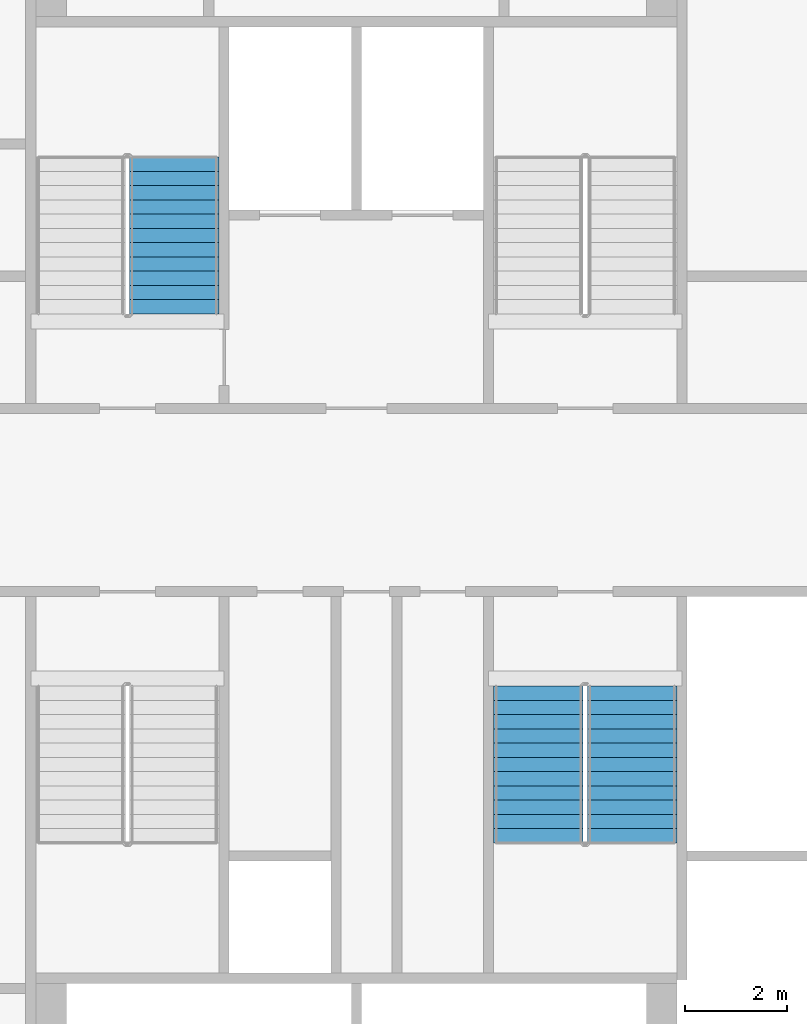
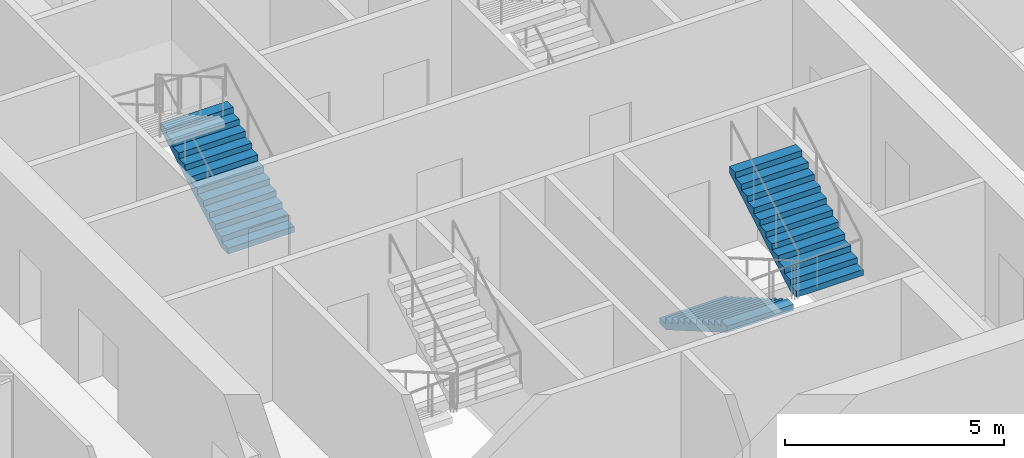
# One storey, part 17 of 23: 3 stair flights, 2 elements without a shape of their own.
"""IFC4 building model written with IfcOpenShell, lengths in metres."""

import ifcopenshell
import ifcopenshell.guid

model = None  # the IFC model being written
_history = None  # IfcOwnerHistory: only IFC2X3 demands one
_inside = {}  # id of a spatial element -> (the spatial element, [elements in it])
_under = {}  # id of a project, library or spatial element -> (it, [spatial elements below it])
_declared = {}  # id of a project -> (the project, [libraries it declares])
_typed = {}  # id of a type object -> (the type object, [elements of that type])
_made_of = {}  # id of a material, layer set ... -> (it, [elements and type objects made of it])


def new_model(schema):
    """Start an empty IFC model of exactly this schema.

    Asked for "IFC4X3", IfcOpenShell would pick the latest addendum, in which some entities
    have other attributes; the version numbers below select the first issue.
    IFC2X3 requires an IfcOwnerHistory on every rooted entity: one is made here for all.
    """
    global model, _history
    if schema == "IFC4X3":
        model = ifcopenshell.file(schema_version=(4, 3, 0, 0))
    else:
        model = ifcopenshell.file(schema=schema)
    _inside.clear()
    _under.clear()
    _declared.clear()
    _typed.clear()
    _made_of.clear()
    _history = None
    if model.schema == "IFC2X3":
        org = make("IfcOrganization", Name="unknown")
        user = make(
            "IfcPersonAndOrganization",
            ThePerson=make("IfcPerson", FamilyName="unknown"),
            TheOrganization=org,
        )
        app = make(
            "IfcApplication",
            ApplicationDeveloper=org,
            Version="unknown",
            ApplicationFullName="unknown",
            ApplicationIdentifier="unknown",
        )
        _history = make(
            "IfcOwnerHistory",
            OwningUser=user,
            OwningApplication=app,
            ChangeAction="ADDED",
            CreationDate=0,
        )
    return model


def make(cls, **values):
    """One entity of the class cls with the attributes given. An attribute that is None is left unset."""
    return model.create_entity(
        cls, **{name: value for name, value in values.items() if value is not None}
    )


def rooted(cls, **values):
    """An entity with a GlobalId (a new one), such as an element, a storey or a relation."""
    return make(cls, GlobalId=ifcopenshell.guid.new(), OwnerHistory=_history, **values)


def si_unit(unit_type, name, prefix=None):
    """IfcSIUnit, for example si_unit("LENGTHUNIT", "METRE", prefix="MILLI")."""
    return make("IfcSIUnit", UnitType=unit_type, Prefix=prefix, Name=name)


def assignment(units):
    """IfcUnitAssignment: the units of a project."""
    return None if units is None else make("IfcUnitAssignment", Units=units)


def point(xyz):
    """IfcCartesianPoint."""
    return None if xyz is None else make("IfcCartesianPoint", Coordinates=xyz)


def direction(xyz):
    """IfcDirection."""
    return None if xyz is None else make("IfcDirection", DirectionRatios=xyz)


def frame(location, z_axis=None, x_axis=None):
    """IfcAxis2Placement3D, a coordinate frame: its origin and axes. An axis left out is left unset."""
    return make(
        "IfcAxis2Placement3D",
        Location=point(location),
        Axis=direction(z_axis),
        RefDirection=direction(x_axis),
    )


def origin():
    """The frame at (0, 0, 0) with its axes left unset."""
    return frame((0.0, 0.0, 0.0))


def place(relative_to, where):
    """IfcLocalPlacement: puts the frame where relative to a parent placement (None: the world)."""
    return make(
        "IfcLocalPlacement", PlacementRelTo=relative_to, RelativePlacement=where
    )


def context(
    kind, dimensions, precision=None, world=None, true_north=None, identifier=None
):
    """IfcGeometricRepresentationContext, for example the 3D "Model" context."""
    return make(
        "IfcGeometricRepresentationContext",
        ContextIdentifier=identifier,
        ContextType=kind,
        CoordinateSpaceDimension=dimensions,
        Precision=precision,
        WorldCoordinateSystem=world,
        TrueNorth=true_north,
    )


def subcontext(parent, identifier, kind, view, scale=None):
    """IfcGeometricRepresentationSubContext, for example "Body" below "Model"."""
    return make(
        "IfcGeometricRepresentationSubContext",
        ContextIdentifier=identifier,
        ContextType=kind,
        ParentContext=parent,
        TargetScale=scale,
        TargetView=view,
    )


def project(units=None, contexts=None):
    """IfcProject with its units and contexts."""
    return rooted(
        "IfcProject",
        Name="project",
        RepresentationContexts=contexts,
        UnitsInContext=assignment(units),
    )


def spatial(cls, under=None, at=None, **own):
    """A site, building, storey or space (cls), placed at a placement, below another one or the project."""
    s = rooted(cls, ObjectPlacement=at, **own)
    if under is not None:
        _under.setdefault(under.id(), (under, []))[1].append(s)
    return s


def faces_of(points, faces, orient=None, outer=None):
    """IfcFace entities. A face is a list of loops; a loop is a list of indices into points, from 0.

    orient and outer hold one flag for each loop. By default every Orientation is true, the
    first loop of a face is its IfcFaceOuterBound and the others are IfcFaceBound.
    """
    made = []
    for i, loops in enumerate(faces):
        bounds = []
        for j, loop in enumerate(loops):
            is_outer = j == 0 if outer is None else outer[i][j]
            bounds.append(
                make(
                    "IfcFaceOuterBound" if is_outer else "IfcFaceBound",
                    Bound=make("IfcPolyLoop", Polygon=[points[k] for k in loop]),
                    Orientation=True if orient is None else orient[i][j],
                )
            )
        made.append(make("IfcFace", Bounds=bounds))
    return made


def faceted_brep(points, faces, orient=None, outer=None, voids=None):
    """IfcFacetedBrep: a solid bounded by flat faces; with voids (closed shells), ...WithVoids."""
    shared = [point(p) for p in points]
    hull = make("IfcClosedShell", CfsFaces=faces_of(shared, faces, orient, outer))
    if voids is None:
        return make("IfcFacetedBrep", Outer=hull)
    return make(
        "IfcFacetedBrepWithVoids",
        Outer=hull,
        Voids=[
            make(cls, CfsFaces=faces_of(shared, fs, o, b)) for cls, fs, o, b in voids
        ],
    )


def shape(context_of_items, identifier, shape_type, items):
    """IfcShapeRepresentation: the items that make up one representation, for example the "Body"."""
    return make(
        "IfcShapeRepresentation",
        ContextOfItems=context_of_items,
        RepresentationIdentifier=identifier,
        RepresentationType=shape_type,
        Items=items,
    )


def material(Name=None, Category=None):
    """IfcMaterial."""
    return make("IfcMaterial", Name=Name, Category=Category)


def made_of(thing, what):
    """Note that an element or type object is made of a material, layer set ...; save() writes the relation."""
    if what is not None:
        _made_of.setdefault(what.id(), (what, []))[1].append(thing)
    return thing


def type_object(cls, material=None, **own):
    """A type object (cls), such as IfcWallType, which elements share."""
    return made_of(rooted(cls, **own), material)


def element(
    cls,
    number,
    at=None,
    inside=None,
    cuts=None,
    type_object=None,
    material=None,
    context=None,
    identifier="Body",
    shape_type=None,
    held_by="IfcProductDefinitionShape",
    body=None,
    shapes=None,
    **own,
):
    """One element of the class cls, such as IfcWall. Its Tag is "e" and its number.

    at: its placement. inside: the storey or other place that contains it. cuts: it is an
    opening in that element (IfcRelVoidsElement). A single representation is given by context,
    identifier, shape_type and body (its items); several are given by shapes. held_by: the class
    of the entity that holds the representations. save() writes the other relations.
    """
    e = rooted(cls, Tag="e%d" % number, ObjectPlacement=at, **own)
    if body is not None:
        shapes = [shape(context, identifier, shape_type, body)]
    if shapes is not None:
        e.Representation = make(held_by, Representations=shapes)
    if inside is not None:
        _inside.setdefault(inside.id(), (inside, []))[1].append(e)
    if cuts is not None:
        rooted(
            "IfcRelVoidsElement", RelatingBuildingElement=cuts, RelatedOpeningElement=e
        )
    if type_object is not None:
        _typed.setdefault(type_object.id(), (type_object, []))[1].append(e)
    return made_of(e, material)


def aggregate(whole, parts):
    """IfcRelAggregates: a whole, such as a stair, and the parts it consists of."""
    return rooted("IfcRelAggregates", RelatingObject=whole, RelatedObjects=parts)


def save(model, path):
    """Write the relations noted so far, then the file.

    IfcRelAggregates (storeys below a building ...), IfcRelContainedInSpatialStructure (elements
    in a storey), IfcRelDefinesByType, IfcRelAssociatesMaterial and IfcRelDeclares: one each for
    every whole, place, type object, material and project.
    """
    for whole, parts in _under.values():
        aggregate(whole, parts)
    for where, things in _inside.values():
        rooted(
            "IfcRelContainedInSpatialStructure",
            RelatedElements=things,
            RelatingStructure=where,
        )
    for kind, things in _typed.values():
        rooted("IfcRelDefinesByType", RelatedObjects=things, RelatingType=kind)
    for what, things in _made_of.values():
        rooted("IfcRelAssociatesMaterial", RelatedObjects=things, RelatingMaterial=what)
    for by, libraries in _declared.values():
        rooted("IfcRelDeclares", RelatingContext=by, RelatedDefinitions=libraries)
    model.write(path)


model = new_model("IFC4")

# Units and contexts
model_context = context("Model", 3, precision=1e-05, world=origin(), true_north=direction((0.0, 1.0)))
body_context = subcontext(model_context, "Body", "Model", "MODEL_VIEW")
ifc_project = project(units=[si_unit("LENGTHUNIT", "METRE"), si_unit("AREAUNIT", "SQUARE_METRE"), si_unit("VOLUMEUNIT", "CUBIC_METRE"), si_unit("PLANEANGLEUNIT", "RADIAN"), si_unit("MASSUNIT", "GRAM", prefix="KILO")], contexts=[model_context])

# Site, building, storey
site_placement = place(None, origin())
site = spatial("IfcSite", under=ifc_project, at=site_placement, CompositionType="ELEMENT")
building_placement = place(site_placement, origin())
building = spatial("IfcBuilding", under=site, at=building_placement, Name="Tarsis Ring Headquarters", CompositionType="ELEMENT")
storey_placement = place(building_placement, frame((0.0, 0.0, 155.39990234375)))
storey = spatial("IfcBuildingStorey", under=building, at=storey_placement, Name="L35", CompositionType="ELEMENT", Elevation=155.39990234375)

# Stair, stair flight
ifc_material_1 = material(Name="Core stair 1760")
stair_type = type_object("IfcStairType", Name="Core stair 1760", PredefinedType="HALF_TURN_STAIR", material=ifc_material_1)
stair_1_placement = place(storey_placement, origin())
stair_1 = element("IfcStair", 1, at=stair_1_placement, inside=storey, type_object=stair_type, Name="L35 Firefighting stair", PredefinedType="HALF_TURN_STAIR")
ifc_material_2 = material(Name="Concrete C40/50", Category="concrete")
stair_flight_type = type_object("IfcStairFlightType", Name="Core stair flight 1760", PredefinedType="STRAIGHT", material=ifc_material_2)
stair_flight_1_placement = place(storey_placement, frame((-3.580078125, 3.659912109375, 0.0), z_axis=(0.0, 0.0, 1.0), x_axis=(0.0, 1.0, 0.0)))
stair_flight_1 = element("IfcStairFlight", 2, at=stair_flight_1_placement, type_object=stair_flight_type, Name="Stair ST1 flight 1", NumberOfRisers=12, NumberOfTreads=11, PredefinedType="STRAIGHT", RiserHeight=0.1625, TreadLength=0.28, context=body_context, shape_type="Brep", body=[
    faceted_brep([(0.0, 0.8798828125, 0.0), (0.0, 0.8798828125, 0.16259765625), (0.280029296875, 0.8798828125, 0.16259765625), (0.280029296875, 0.8798828125, 0.324951171875), (0.56005859375, 0.8798828125, 0.324951171875), (0.56005859375, 0.8798828125, 0.487548828125), (0.840087890625, 0.8798828125, 0.487548828125), (0.840087890625, 0.8798828125, 0.64990234375), (1.1201171875, 0.8798828125, 0.64990234375), (1.1201171875, 0.8798828125, 0.8125), (1.39990234375, 0.8798828125, 0.8125), (1.39990234375, 0.8798828125, 0.97509765625), (1.679931640625, 0.8798828125, 0.97509765625), (1.679931640625, 0.8798828125, 1.137451171875), (1.9599609375, 0.8798828125, 1.137451171875), (1.9599609375, 0.8798828125, 1.300048828125), (2.239990234375, 0.8798828125, 1.300048828125), (2.239990234375, 0.8798828125, 1.46240234375), (2.52001953125, 0.8798828125, 1.46240234375), (2.52001953125, 0.8798828125, 1.625), (2.800048828125, 0.8798828125, 1.625), (2.800048828125, 0.8798828125, 1.78759765625), (3.080078125, 0.8798828125, 1.78759765625), (3.080078125, 0.8798828125, 1.6142578125), (0.298583984375, 0.8798828125, 0.0), (0.298583984375, -0.8798828125, 0.0), (3.080078125, -0.8798828125, 1.6142578125), (3.080078125, -0.8798828125, 1.78759765625), (2.800048828125, -0.8798828125, 1.78759765625), (2.800048828125, -0.8798828125, 1.625), (2.52001953125, -0.8798828125, 1.625), (2.52001953125, -0.8798828125, 1.46240234375), (2.239990234375, -0.8798828125, 1.46240234375), (2.239990234375, -0.8798828125, 1.300048828125), (1.9599609375, -0.8798828125, 1.300048828125), (1.9599609375, -0.8798828125, 1.137451171875), (1.679931640625, -0.8798828125, 1.137451171875), (1.679931640625, -0.8798828125, 0.97509765625), (1.39990234375, -0.8798828125, 0.97509765625), (1.39990234375, -0.8798828125, 0.8125), (1.1201171875, -0.8798828125, 0.8125), (1.1201171875, -0.8798828125, 0.64990234375), (0.840087890625, -0.8798828125, 0.64990234375), (0.840087890625, -0.8798828125, 0.487548828125), (0.56005859375, -0.8798828125, 0.487548828125), (0.56005859375, -0.8798828125, 0.324951171875), (0.280029296875, -0.8798828125, 0.324951171875), (0.280029296875, -0.8798828125, 0.16259765625), (0.0, -0.8798828125, 0.16259765625), (0.0, -0.8798828125, 0.0), (0.0, -0.43994140625, 0.16259765625), (0.0, -0.43994140625, 0.0), (0.0, 0.0, 0.16259765625), (0.0, 0.0, 0.0), (0.0, 0.43994140625, 0.16259765625), (0.0, 0.43994140625, 0.0), (0.280029296875, -0.43994140625, 0.16259765625), (0.280029296875, 0.0, 0.16259765625), (0.280029296875, 0.43994140625, 0.16259765625), (0.280029296875, -0.43994140625, 0.324951171875), (0.280029296875, 0.0, 0.324951171875), (0.280029296875, 0.43994140625, 0.324951171875), (0.56005859375, -0.43994140625, 0.324951171875), (0.56005859375, 0.0, 0.324951171875), (0.56005859375, 0.43994140625, 0.324951171875), (0.56005859375, -0.43994140625, 0.487548828125), (0.56005859375, 0.0, 0.487548828125), (0.56005859375, 0.43994140625, 0.487548828125), (0.840087890625, -0.43994140625, 0.487548828125), (0.840087890625, 0.0, 0.487548828125), (0.840087890625, 0.43994140625, 0.487548828125), (0.840087890625, -0.43994140625, 0.64990234375), (0.840087890625, 0.0, 0.64990234375), (0.840087890625, 0.43994140625, 0.64990234375), (1.1201171875, -0.43994140625, 0.64990234375), (1.1201171875, 0.0, 0.64990234375), (1.1201171875, 0.43994140625, 0.64990234375), (1.1201171875, -0.43994140625, 0.8125), (1.1201171875, 0.0, 0.8125), (1.1201171875, 0.43994140625, 0.8125), (1.39990234375, -0.43994140625, 0.8125), (1.39990234375, 0.0, 0.8125), (1.39990234375, 0.43994140625, 0.8125), (1.39990234375, -0.43994140625, 0.97509765625), (1.39990234375, 0.0, 0.97509765625), (1.39990234375, 0.43994140625, 0.97509765625), (1.679931640625, -0.43994140625, 0.97509765625), (1.679931640625, 0.0, 0.97509765625), (1.679931640625, 0.43994140625, 0.97509765625), (1.679931640625, -0.43994140625, 1.137451171875), (1.679931640625, 0.0, 1.137451171875), (1.679931640625, 0.43994140625, 1.137451171875), (1.9599609375, -0.43994140625, 1.137451171875), (1.9599609375, 0.0, 1.137451171875), (1.9599609375, 0.43994140625, 1.137451171875), (1.9599609375, -0.43994140625, 1.300048828125), (1.9599609375, 0.0, 1.300048828125), (1.9599609375, 0.43994140625, 1.300048828125), (2.239990234375, -0.43994140625, 1.300048828125), (2.239990234375, 0.0, 1.300048828125), (2.239990234375, 0.43994140625, 1.300048828125), (2.239990234375, -0.43994140625, 1.46240234375), (2.239990234375, 0.0, 1.46240234375), (2.239990234375, 0.43994140625, 1.46240234375), (2.52001953125, -0.43994140625, 1.46240234375), (2.52001953125, 0.0, 1.46240234375), (2.52001953125, 0.43994140625, 1.46240234375), (2.52001953125, -0.43994140625, 1.625), (2.52001953125, 0.0, 1.625), (2.52001953125, 0.43994140625, 1.625), (2.800048828125, -0.43994140625, 1.625), (2.800048828125, 0.0, 1.625), (2.800048828125, 0.43994140625, 1.625), (2.800048828125, -0.43994140625, 1.78759765625), (2.800048828125, 0.0, 1.78759765625), (2.800048828125, 0.43994140625, 1.78759765625), (3.080078125, -0.43994140625, 1.78759765625), (3.080078125, 0.0, 1.78759765625), (3.080078125, 0.43994140625, 1.78759765625), (3.080078125, -0.43994140625, 1.6142578125), (3.080078125, 0.0, 1.6142578125), (3.080078125, 0.43994140625, 1.6142578125), (0.298583984375, -0.43994140625, 0.0), (0.298583984375, 0.0, 0.0), (0.298583984375, 0.43994140625, 0.0)], [[[0, 1, 2, 3, 4, 5, 6, 7, 8, 9, 10, 11, 12, 13, 14, 15, 16, 17, 18, 19, 20, 21, 22, 23, 24]], [[25, 26, 27, 28, 29, 30, 31, 32, 33, 34, 35, 36, 37, 38, 39, 40, 41, 42, 43, 44, 45, 46, 47, 48, 49]], [[49, 48, 50, 51]], [[51, 50, 52, 53]], [[53, 52, 54, 55]], [[55, 54, 1, 0]], [[48, 47, 56, 50]], [[50, 56, 57, 52]], [[52, 57, 58, 54]], [[54, 58, 2, 1]], [[47, 46, 59, 56]], [[56, 59, 60, 57]], [[57, 60, 61, 58]], [[58, 61, 3, 2]], [[46, 45, 62, 59]], [[59, 62, 63, 60]], [[60, 63, 64, 61]], [[61, 64, 4, 3]], [[45, 44, 65, 62]], [[62, 65, 66, 63]], [[63, 66, 67, 64]], [[64, 67, 5, 4]], [[44, 43, 68, 65]], [[65, 68, 69, 66]], [[66, 69, 70, 67]], [[67, 70, 6, 5]], [[43, 42, 71, 68]], [[68, 71, 72, 69]], [[69, 72, 73, 70]], [[70, 73, 7, 6]], [[42, 41, 74, 71]], [[71, 74, 75, 72]], [[72, 75, 76, 73]], [[73, 76, 8, 7]], [[41, 40, 77, 74]], [[74, 77, 78, 75]], [[75, 78, 79, 76]], [[76, 79, 9, 8]], [[40, 39, 80, 77]], [[77, 80, 81, 78]], [[78, 81, 82, 79]], [[79, 82, 10, 9]], [[39, 38, 83, 80]], [[80, 83, 84, 81]], [[81, 84, 85, 82]], [[82, 85, 11, 10]], [[38, 37, 86, 83]], [[83, 86, 87, 84]], [[84, 87, 88, 85]], [[85, 88, 12, 11]], [[37, 36, 89, 86]], [[86, 89, 90, 87]], [[87, 90, 91, 88]], [[88, 91, 13, 12]], [[36, 35, 92, 89]], [[89, 92, 93, 90]], [[90, 93, 94, 91]], [[91, 94, 14, 13]], [[35, 34, 95, 92]], [[92, 95, 96, 93]], [[93, 96, 97, 94]], [[94, 97, 15, 14]], [[34, 33, 98, 95]], [[95, 98, 99, 96]], [[96, 99, 100, 97]], [[97, 100, 16, 15]], [[33, 32, 101, 98]], [[98, 101, 102, 99]], [[99, 102, 103, 100]], [[100, 103, 17, 16]], [[32, 31, 104, 101]], [[101, 104, 105, 102]], [[102, 105, 106, 103]], [[103, 106, 18, 17]], [[31, 30, 107, 104]], [[104, 107, 108, 105]], [[105, 108, 109, 106]], [[106, 109, 19, 18]], [[30, 29, 110, 107]], [[107, 110, 111, 108]], [[108, 111, 112, 109]], [[109, 112, 20, 19]], [[29, 28, 113, 110]], [[110, 113, 114, 111]], [[111, 114, 115, 112]], [[112, 115, 21, 20]], [[28, 27, 116, 113]], [[113, 116, 117, 114]], [[114, 117, 118, 115]], [[115, 118, 22, 21]], [[27, 26, 119, 116]], [[116, 119, 120, 117]], [[117, 120, 121, 118]], [[118, 121, 23, 22]], [[26, 25, 122, 119]], [[119, 122, 123, 120]], [[120, 123, 124, 121]], [[121, 124, 24, 23]], [[25, 49, 51, 122]], [[122, 51, 53, 123]], [[123, 53, 55, 124]], [[124, 55, 0, 24]]]),
])
aggregate(stair_1, [stair_flight_1])

# Stair, stair flights
stair_2_placement = place(storey_placement, origin())
stair_2 = element("IfcStair", 3, at=stair_2_placement, inside=storey, type_object=stair_type, Name="L35 Exit stair D", PredefinedType="HALF_TURN_STAIR")
stair_flight_2_placement = place(storey_placement, frame((3.580078125, -3.659912109375, 0.0), z_axis=(0.0, 0.0, 1.0), x_axis=(0.0, -1.0, 0.0)))
stair_flight_2 = element("IfcStairFlight", 4, at=stair_flight_2_placement, type_object=stair_flight_type, Name="Stair ST4 flight 1", NumberOfRisers=12, NumberOfTreads=11, PredefinedType="STRAIGHT", RiserHeight=0.1625, TreadLength=0.28, context=body_context, shape_type="Brep", body=[
    faceted_brep([(0.0, 0.8798828125, 0.0), (0.0, 0.8798828125, 0.16259765625), (0.280029296875, 0.8798828125, 0.16259765625), (0.280029296875, 0.8798828125, 0.324951171875), (0.56005859375, 0.8798828125, 0.324951171875), (0.56005859375, 0.8798828125, 0.487548828125), (0.840087890625, 0.8798828125, 0.487548828125), (0.840087890625, 0.8798828125, 0.64990234375), (1.1201171875, 0.8798828125, 0.64990234375), (1.1201171875, 0.8798828125, 0.8125), (1.39990234375, 0.8798828125, 0.8125), (1.39990234375, 0.8798828125, 0.97509765625), (1.679931640625, 0.8798828125, 0.97509765625), (1.679931640625, 0.8798828125, 1.137451171875), (1.9599609375, 0.8798828125, 1.137451171875), (1.9599609375, 0.8798828125, 1.300048828125), (2.239990234375, 0.8798828125, 1.300048828125), (2.239990234375, 0.8798828125, 1.46240234375), (2.52001953125, 0.8798828125, 1.46240234375), (2.52001953125, 0.8798828125, 1.625), (2.800048828125, 0.8798828125, 1.625), (2.800048828125, 0.8798828125, 1.78759765625), (3.080078125, 0.8798828125, 1.78759765625), (3.080078125, 0.8798828125, 1.6142578125), (0.298583984375, 0.8798828125, 0.0), (0.298583984375, -0.8798828125, 0.0), (3.080078125, -0.8798828125, 1.6142578125), (3.080078125, -0.8798828125, 1.78759765625), (2.800048828125, -0.8798828125, 1.78759765625), (2.800048828125, -0.8798828125, 1.625), (2.52001953125, -0.8798828125, 1.625), (2.52001953125, -0.8798828125, 1.46240234375), (2.239990234375, -0.8798828125, 1.46240234375), (2.239990234375, -0.8798828125, 1.300048828125), (1.9599609375, -0.8798828125, 1.300048828125), (1.9599609375, -0.8798828125, 1.137451171875), (1.679931640625, -0.8798828125, 1.137451171875), (1.679931640625, -0.8798828125, 0.97509765625), (1.39990234375, -0.8798828125, 0.97509765625), (1.39990234375, -0.8798828125, 0.8125), (1.1201171875, -0.8798828125, 0.8125), (1.1201171875, -0.8798828125, 0.64990234375), (0.840087890625, -0.8798828125, 0.64990234375), (0.840087890625, -0.8798828125, 0.487548828125), (0.56005859375, -0.8798828125, 0.487548828125), (0.56005859375, -0.8798828125, 0.324951171875), (0.280029296875, -0.8798828125, 0.324951171875), (0.280029296875, -0.8798828125, 0.16259765625), (0.0, -0.8798828125, 0.16259765625), (0.0, -0.8798828125, 0.0), (0.0, -0.43994140625, 0.16259765625), (0.0, -0.43994140625, 0.0), (0.0, 0.0, 0.16259765625), (0.0, 0.0, 0.0), (0.0, 0.43994140625, 0.16259765625), (0.0, 0.43994140625, 0.0), (0.280029296875, -0.43994140625, 0.16259765625), (0.280029296875, 0.0, 0.16259765625), (0.280029296875, 0.43994140625, 0.16259765625), (0.280029296875, -0.43994140625, 0.324951171875), (0.280029296875, 0.0, 0.324951171875), (0.280029296875, 0.43994140625, 0.324951171875), (0.56005859375, -0.43994140625, 0.324951171875), (0.56005859375, 0.0, 0.324951171875), (0.56005859375, 0.43994140625, 0.324951171875), (0.56005859375, -0.43994140625, 0.487548828125), (0.56005859375, 0.0, 0.487548828125), (0.56005859375, 0.43994140625, 0.487548828125), (0.840087890625, -0.43994140625, 0.487548828125), (0.840087890625, 0.0, 0.487548828125), (0.840087890625, 0.43994140625, 0.487548828125), (0.840087890625, -0.43994140625, 0.64990234375), (0.840087890625, 0.0, 0.64990234375), (0.840087890625, 0.43994140625, 0.64990234375), (1.1201171875, -0.43994140625, 0.64990234375), (1.1201171875, 0.0, 0.64990234375), (1.1201171875, 0.43994140625, 0.64990234375), (1.1201171875, -0.43994140625, 0.8125), (1.1201171875, 0.0, 0.8125), (1.1201171875, 0.43994140625, 0.8125), (1.39990234375, -0.43994140625, 0.8125), (1.39990234375, 0.0, 0.8125), (1.39990234375, 0.43994140625, 0.8125), (1.39990234375, -0.43994140625, 0.97509765625), (1.39990234375, 0.0, 0.97509765625), (1.39990234375, 0.43994140625, 0.97509765625), (1.679931640625, -0.43994140625, 0.97509765625), (1.679931640625, 0.0, 0.97509765625), (1.679931640625, 0.43994140625, 0.97509765625), (1.679931640625, -0.43994140625, 1.137451171875), (1.679931640625, 0.0, 1.137451171875), (1.679931640625, 0.43994140625, 1.137451171875), (1.9599609375, -0.43994140625, 1.137451171875), (1.9599609375, 0.0, 1.137451171875), (1.9599609375, 0.43994140625, 1.137451171875), (1.9599609375, -0.43994140625, 1.300048828125), (1.9599609375, 0.0, 1.300048828125), (1.9599609375, 0.43994140625, 1.300048828125), (2.239990234375, -0.43994140625, 1.300048828125), (2.239990234375, 0.0, 1.300048828125), (2.239990234375, 0.43994140625, 1.300048828125), (2.239990234375, -0.43994140625, 1.46240234375), (2.239990234375, 0.0, 1.46240234375), (2.239990234375, 0.43994140625, 1.46240234375), (2.52001953125, -0.43994140625, 1.46240234375), (2.52001953125, 0.0, 1.46240234375), (2.52001953125, 0.43994140625, 1.46240234375), (2.52001953125, -0.43994140625, 1.625), (2.52001953125, 0.0, 1.625), (2.52001953125, 0.43994140625, 1.625), (2.800048828125, -0.43994140625, 1.625), (2.800048828125, 0.0, 1.625), (2.800048828125, 0.43994140625, 1.625), (2.800048828125, -0.43994140625, 1.78759765625), (2.800048828125, 0.0, 1.78759765625), (2.800048828125, 0.43994140625, 1.78759765625), (3.080078125, -0.43994140625, 1.78759765625), (3.080078125, 0.0, 1.78759765625), (3.080078125, 0.43994140625, 1.78759765625), (3.080078125, -0.43994140625, 1.6142578125), (3.080078125, 0.0, 1.6142578125), (3.080078125, 0.43994140625, 1.6142578125), (0.298583984375, -0.43994140625, 0.0), (0.298583984375, 0.0, 0.0), (0.298583984375, 0.43994140625, 0.0)], [[[0, 1, 2, 3, 4, 5, 6, 7, 8, 9, 10, 11, 12, 13, 14, 15, 16, 17, 18, 19, 20, 21, 22, 23, 24]], [[25, 26, 27, 28, 29, 30, 31, 32, 33, 34, 35, 36, 37, 38, 39, 40, 41, 42, 43, 44, 45, 46, 47, 48, 49]], [[49, 48, 50, 51]], [[51, 50, 52, 53]], [[53, 52, 54, 55]], [[55, 54, 1, 0]], [[48, 47, 56, 50]], [[50, 56, 57, 52]], [[52, 57, 58, 54]], [[54, 58, 2, 1]], [[47, 46, 59, 56]], [[56, 59, 60, 57]], [[57, 60, 61, 58]], [[58, 61, 3, 2]], [[46, 45, 62, 59]], [[59, 62, 63, 60]], [[60, 63, 64, 61]], [[61, 64, 4, 3]], [[45, 44, 65, 62]], [[62, 65, 66, 63]], [[63, 66, 67, 64]], [[64, 67, 5, 4]], [[44, 43, 68, 65]], [[65, 68, 69, 66]], [[66, 69, 70, 67]], [[67, 70, 6, 5]], [[43, 42, 71, 68]], [[68, 71, 72, 69]], [[69, 72, 73, 70]], [[70, 73, 7, 6]], [[42, 41, 74, 71]], [[71, 74, 75, 72]], [[72, 75, 76, 73]], [[73, 76, 8, 7]], [[41, 40, 77, 74]], [[74, 77, 78, 75]], [[75, 78, 79, 76]], [[76, 79, 9, 8]], [[40, 39, 80, 77]], [[77, 80, 81, 78]], [[78, 81, 82, 79]], [[79, 82, 10, 9]], [[39, 38, 83, 80]], [[80, 83, 84, 81]], [[81, 84, 85, 82]], [[82, 85, 11, 10]], [[38, 37, 86, 83]], [[83, 86, 87, 84]], [[84, 87, 88, 85]], [[85, 88, 12, 11]], [[37, 36, 89, 86]], [[86, 89, 90, 87]], [[87, 90, 91, 88]], [[88, 91, 13, 12]], [[36, 35, 92, 89]], [[89, 92, 93, 90]], [[90, 93, 94, 91]], [[91, 94, 14, 13]], [[35, 34, 95, 92]], [[92, 95, 96, 93]], [[93, 96, 97, 94]], [[94, 97, 15, 14]], [[34, 33, 98, 95]], [[95, 98, 99, 96]], [[96, 99, 100, 97]], [[97, 100, 16, 15]], [[33, 32, 101, 98]], [[98, 101, 102, 99]], [[99, 102, 103, 100]], [[100, 103, 17, 16]], [[32, 31, 104, 101]], [[101, 104, 105, 102]], [[102, 105, 106, 103]], [[103, 106, 18, 17]], [[31, 30, 107, 104]], [[104, 107, 108, 105]], [[105, 108, 109, 106]], [[106, 109, 19, 18]], [[30, 29, 110, 107]], [[107, 110, 111, 108]], [[108, 111, 112, 109]], [[109, 112, 20, 19]], [[29, 28, 113, 110]], [[110, 113, 114, 111]], [[111, 114, 115, 112]], [[112, 115, 21, 20]], [[28, 27, 116, 113]], [[113, 116, 117, 114]], [[114, 117, 118, 115]], [[115, 118, 22, 21]], [[27, 26, 119, 116]], [[116, 119, 120, 117]], [[117, 120, 121, 118]], [[118, 121, 23, 22]], [[26, 25, 122, 119]], [[119, 122, 123, 120]], [[120, 123, 124, 121]], [[121, 124, 24, 23]], [[25, 49, 51, 122]], [[122, 51, 53, 123]], [[123, 53, 55, 124]], [[124, 55, 0, 24]]]),
])
stair_flight_3_placement = place(storey_placement, frame((5.419921875, -6.739990234375, 1.9501953125), z_axis=(0.0, 0.0, 1.0), x_axis=(0.0, 1.0, 0.0)))
stair_flight_3 = element("IfcStairFlight", 5, at=stair_flight_3_placement, type_object=stair_flight_type, Name="Stair ST4 flight 2", NumberOfRisers=12, NumberOfTreads=11, PredefinedType="STRAIGHT", RiserHeight=0.1625, TreadLength=0.28, context=body_context, shape_type="Brep", body=[
    faceted_brep([(0.0, 0.8798828125, 0.0), (0.0, 0.8798828125, 0.16259765625), (0.280029296875, 0.8798828125, 0.16259765625), (0.280029296875, 0.8798828125, 0.324951171875), (0.56005859375, 0.8798828125, 0.324951171875), (0.56005859375, 0.8798828125, 0.487548828125), (0.840087890625, 0.8798828125, 0.487548828125), (0.840087890625, 0.8798828125, 0.64990234375), (1.1201171875, 0.8798828125, 0.64990234375), (1.1201171875, 0.8798828125, 0.8125), (1.39990234375, 0.8798828125, 0.8125), (1.39990234375, 0.8798828125, 0.97509765625), (1.679931640625, 0.8798828125, 0.97509765625), (1.679931640625, 0.8798828125, 1.137451171875), (1.9599609375, 0.8798828125, 1.137451171875), (1.9599609375, 0.8798828125, 1.300048828125), (2.239990234375, 0.8798828125, 1.300048828125), (2.239990234375, 0.8798828125, 1.46240234375), (2.52001953125, 0.8798828125, 1.46240234375), (2.52001953125, 0.8798828125, 1.625), (2.800048828125, 0.8798828125, 1.625), (2.800048828125, 0.8798828125, 1.78759765625), (3.080078125, 0.8798828125, 1.78759765625), (3.080078125, 0.8798828125, 1.6142578125), (0.298583984375, 0.8798828125, 0.0), (0.298583984375, -0.8798828125, 0.0), (3.080078125, -0.8798828125, 1.6142578125), (3.080078125, -0.8798828125, 1.78759765625), (2.800048828125, -0.8798828125, 1.78759765625), (2.800048828125, -0.8798828125, 1.625), (2.52001953125, -0.8798828125, 1.625), (2.52001953125, -0.8798828125, 1.46240234375), (2.239990234375, -0.8798828125, 1.46240234375), (2.239990234375, -0.8798828125, 1.300048828125), (1.9599609375, -0.8798828125, 1.300048828125), (1.9599609375, -0.8798828125, 1.137451171875), (1.679931640625, -0.8798828125, 1.137451171875), (1.679931640625, -0.8798828125, 0.97509765625), (1.39990234375, -0.8798828125, 0.97509765625), (1.39990234375, -0.8798828125, 0.8125), (1.1201171875, -0.8798828125, 0.8125), (1.1201171875, -0.8798828125, 0.64990234375), (0.840087890625, -0.8798828125, 0.64990234375), (0.840087890625, -0.8798828125, 0.487548828125), (0.56005859375, -0.8798828125, 0.487548828125), (0.56005859375, -0.8798828125, 0.324951171875), (0.280029296875, -0.8798828125, 0.324951171875), (0.280029296875, -0.8798828125, 0.16259765625), (0.0, -0.8798828125, 0.16259765625), (0.0, -0.8798828125, 0.0), (0.0, -0.43994140625, 0.16259765625), (0.0, -0.43994140625, 0.0), (0.0, 0.0, 0.16259765625), (0.0, 0.0, 0.0), (0.0, 0.43994140625, 0.16259765625), (0.0, 0.43994140625, 0.0), (0.280029296875, -0.43994140625, 0.16259765625), (0.280029296875, 0.0, 0.16259765625), (0.280029296875, 0.43994140625, 0.16259765625), (0.280029296875, -0.43994140625, 0.324951171875), (0.280029296875, 0.0, 0.324951171875), (0.280029296875, 0.43994140625, 0.324951171875), (0.56005859375, -0.43994140625, 0.324951171875), (0.56005859375, 0.0, 0.324951171875), (0.56005859375, 0.43994140625, 0.324951171875), (0.56005859375, -0.43994140625, 0.487548828125), (0.56005859375, 0.0, 0.487548828125), (0.56005859375, 0.43994140625, 0.487548828125), (0.840087890625, -0.43994140625, 0.487548828125), (0.840087890625, 0.0, 0.487548828125), (0.840087890625, 0.43994140625, 0.487548828125), (0.840087890625, -0.43994140625, 0.64990234375), (0.840087890625, 0.0, 0.64990234375), (0.840087890625, 0.43994140625, 0.64990234375), (1.1201171875, -0.43994140625, 0.64990234375), (1.1201171875, 0.0, 0.64990234375), (1.1201171875, 0.43994140625, 0.64990234375), (1.1201171875, -0.43994140625, 0.8125), (1.1201171875, 0.0, 0.8125), (1.1201171875, 0.43994140625, 0.8125), (1.39990234375, -0.43994140625, 0.8125), (1.39990234375, 0.0, 0.8125), (1.39990234375, 0.43994140625, 0.8125), (1.39990234375, -0.43994140625, 0.97509765625), (1.39990234375, 0.0, 0.97509765625), (1.39990234375, 0.43994140625, 0.97509765625), (1.679931640625, -0.43994140625, 0.97509765625), (1.679931640625, 0.0, 0.97509765625), (1.679931640625, 0.43994140625, 0.97509765625), (1.679931640625, -0.43994140625, 1.137451171875), (1.679931640625, 0.0, 1.137451171875), (1.679931640625, 0.43994140625, 1.137451171875), (1.9599609375, -0.43994140625, 1.137451171875), (1.9599609375, 0.0, 1.137451171875), (1.9599609375, 0.43994140625, 1.137451171875), (1.9599609375, -0.43994140625, 1.300048828125), (1.9599609375, 0.0, 1.300048828125), (1.9599609375, 0.43994140625, 1.300048828125), (2.239990234375, -0.43994140625, 1.300048828125), (2.239990234375, 0.0, 1.300048828125), (2.239990234375, 0.43994140625, 1.300048828125), (2.239990234375, -0.43994140625, 1.46240234375), (2.239990234375, 0.0, 1.46240234375), (2.239990234375, 0.43994140625, 1.46240234375), (2.52001953125, -0.43994140625, 1.46240234375), (2.52001953125, 0.0, 1.46240234375), (2.52001953125, 0.43994140625, 1.46240234375), (2.52001953125, -0.43994140625, 1.625), (2.52001953125, 0.0, 1.625), (2.52001953125, 0.43994140625, 1.625), (2.800048828125, -0.43994140625, 1.625), (2.800048828125, 0.0, 1.625), (2.800048828125, 0.43994140625, 1.625), (2.800048828125, -0.43994140625, 1.78759765625), (2.800048828125, 0.0, 1.78759765625), (2.800048828125, 0.43994140625, 1.78759765625), (3.080078125, -0.43994140625, 1.78759765625), (3.080078125, 0.0, 1.78759765625), (3.080078125, 0.43994140625, 1.78759765625), (3.080078125, -0.43994140625, 1.6142578125), (3.080078125, 0.0, 1.6142578125), (3.080078125, 0.43994140625, 1.6142578125), (0.298583984375, -0.43994140625, 0.0), (0.298583984375, 0.0, 0.0), (0.298583984375, 0.43994140625, 0.0)], [[[0, 1, 2, 3, 4, 5, 6, 7, 8, 9, 10, 11, 12, 13, 14, 15, 16, 17, 18, 19, 20, 21, 22, 23, 24]], [[25, 26, 27, 28, 29, 30, 31, 32, 33, 34, 35, 36, 37, 38, 39, 40, 41, 42, 43, 44, 45, 46, 47, 48, 49]], [[49, 48, 50, 51]], [[51, 50, 52, 53]], [[53, 52, 54, 55]], [[55, 54, 1, 0]], [[48, 47, 56, 50]], [[50, 56, 57, 52]], [[52, 57, 58, 54]], [[54, 58, 2, 1]], [[47, 46, 59, 56]], [[56, 59, 60, 57]], [[57, 60, 61, 58]], [[58, 61, 3, 2]], [[46, 45, 62, 59]], [[59, 62, 63, 60]], [[60, 63, 64, 61]], [[61, 64, 4, 3]], [[45, 44, 65, 62]], [[62, 65, 66, 63]], [[63, 66, 67, 64]], [[64, 67, 5, 4]], [[44, 43, 68, 65]], [[65, 68, 69, 66]], [[66, 69, 70, 67]], [[67, 70, 6, 5]], [[43, 42, 71, 68]], [[68, 71, 72, 69]], [[69, 72, 73, 70]], [[70, 73, 7, 6]], [[42, 41, 74, 71]], [[71, 74, 75, 72]], [[72, 75, 76, 73]], [[73, 76, 8, 7]], [[41, 40, 77, 74]], [[74, 77, 78, 75]], [[75, 78, 79, 76]], [[76, 79, 9, 8]], [[40, 39, 80, 77]], [[77, 80, 81, 78]], [[78, 81, 82, 79]], [[79, 82, 10, 9]], [[39, 38, 83, 80]], [[80, 83, 84, 81]], [[81, 84, 85, 82]], [[82, 85, 11, 10]], [[38, 37, 86, 83]], [[83, 86, 87, 84]], [[84, 87, 88, 85]], [[85, 88, 12, 11]], [[37, 36, 89, 86]], [[86, 89, 90, 87]], [[87, 90, 91, 88]], [[88, 91, 13, 12]], [[36, 35, 92, 89]], [[89, 92, 93, 90]], [[90, 93, 94, 91]], [[91, 94, 14, 13]], [[35, 34, 95, 92]], [[92, 95, 96, 93]], [[93, 96, 97, 94]], [[94, 97, 15, 14]], [[34, 33, 98, 95]], [[95, 98, 99, 96]], [[96, 99, 100, 97]], [[97, 100, 16, 15]], [[33, 32, 101, 98]], [[98, 101, 102, 99]], [[99, 102, 103, 100]], [[100, 103, 17, 16]], [[32, 31, 104, 101]], [[101, 104, 105, 102]], [[102, 105, 106, 103]], [[103, 106, 18, 17]], [[31, 30, 107, 104]], [[104, 107, 108, 105]], [[105, 108, 109, 106]], [[106, 109, 19, 18]], [[30, 29, 110, 107]], [[107, 110, 111, 108]], [[108, 111, 112, 109]], [[109, 112, 20, 19]], [[29, 28, 113, 110]], [[110, 113, 114, 111]], [[111, 114, 115, 112]], [[112, 115, 21, 20]], [[28, 27, 116, 113]], [[113, 116, 117, 114]], [[114, 117, 118, 115]], [[115, 118, 22, 21]], [[27, 26, 119, 116]], [[116, 119, 120, 117]], [[117, 120, 121, 118]], [[118, 121, 23, 22]], [[26, 25, 122, 119]], [[119, 122, 123, 120]], [[120, 123, 124, 121]], [[121, 124, 24, 23]], [[25, 49, 51, 122]], [[122, 51, 53, 123]], [[123, 53, 55, 124]], [[124, 55, 0, 24]]]),
])
aggregate(stair_2, [stair_flight_2, stair_flight_3])

save(model, "model.ifc")
